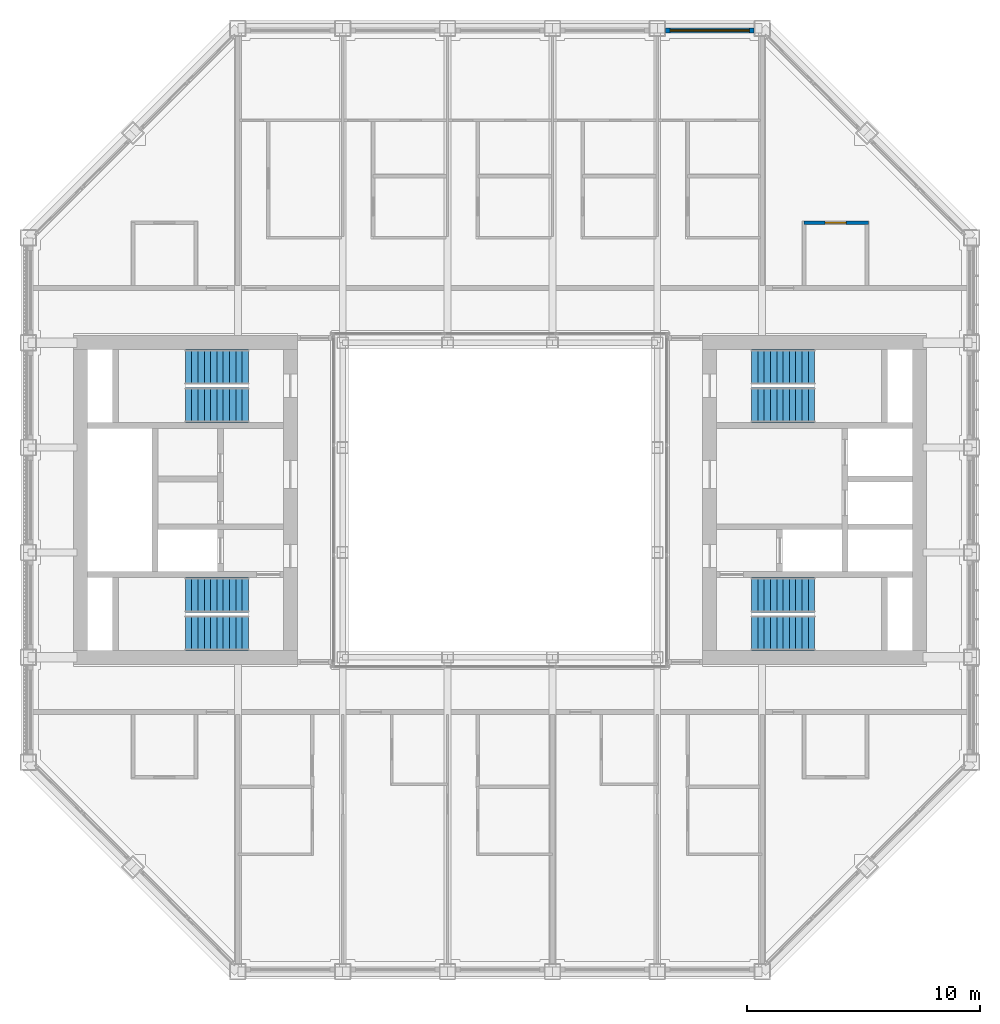
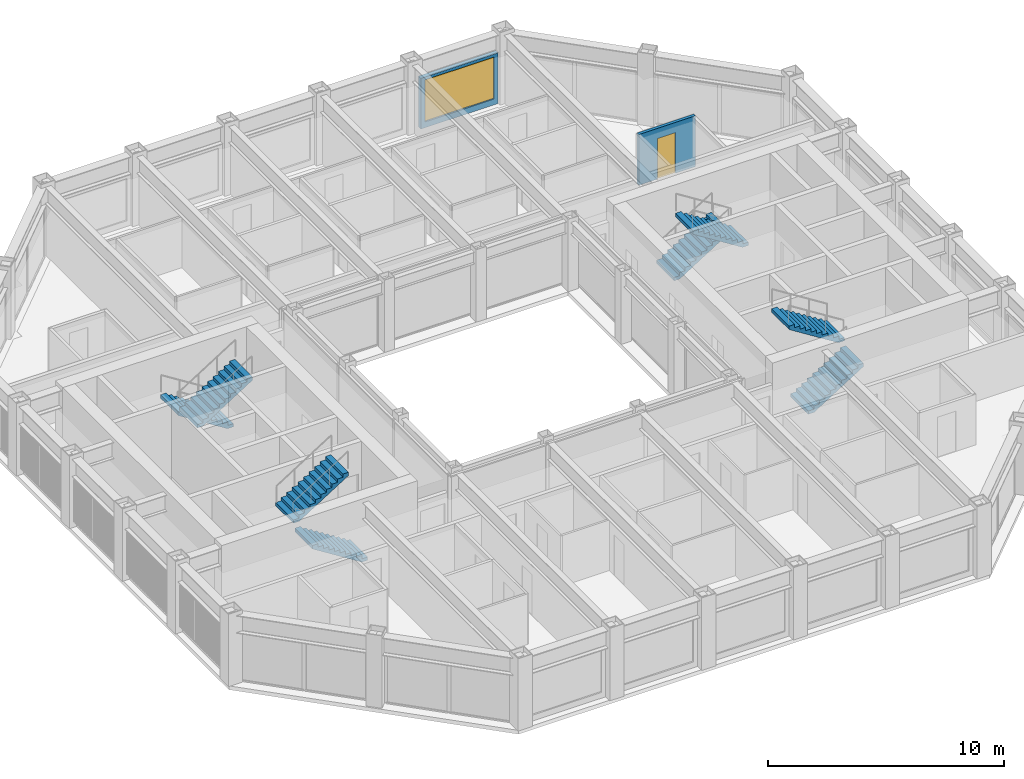
# One storey, part 13 of 18: 8 stair flights, 2 walls, 1 door, 1 window, 2 openings, 4 elements without a shape of their own.
"""IFC4 building model written with IfcOpenShell, lengths in metres."""

from ifc_helpers import new_model, si_unit, direction, frame, frame_2d, origin, place, context, subcontext, project, spatial, polyline, rectangle, outline, extrude, material, layer, layer_set, type_object, element, fill, aggregate, save


model = new_model("IFC4")

# Units and contexts
model_context = context("Model", 3, precision=1e-05, world=origin(), true_north=direction((0.0, 1.0)))
body_context = subcontext(model_context, "Body", "Model", "MODEL_VIEW")
ifc_project = project(units=[si_unit("LENGTHUNIT", "METRE"), si_unit("AREAUNIT", "SQUARE_METRE"), si_unit("VOLUMEUNIT", "CUBIC_METRE"), si_unit("PLANEANGLEUNIT", "RADIAN"), si_unit("MASSUNIT", "GRAM", prefix="KILO")], contexts=[model_context])

# Site, building, storey
site_placement = place(None, origin())
site = spatial("IfcSite", under=ifc_project, at=site_placement, CompositionType="ELEMENT")
building_placement = place(site_placement, origin())
building = spatial("IfcBuilding", under=site, at=building_placement, Name="Msasa Ring Tower", CompositionType="ELEMENT")
storey_placement = place(building_placement, frame((0.0, 0.0, 249.550048828125)))
storey = spatial("IfcBuildingStorey", under=building, at=storey_placement, Name="L65", CompositionType="ELEMENT", Elevation=249.550048828125)

# Wall, opening, window
ifc_material_1 = material(Name="Terracotta rainscreen on blockwork", Category="masonry")
ifc_layer_1 = layer(ifc_material_1, 0.199951171875)
ifc_layer_set_1 = layer_set([ifc_layer_1], Name="FW1 TERRACOTTA-LINED INFILL BAY WALL 200")
wall_type_1 = type_object("IfcWallType", Name="FW1 TERRACOTTA-LINED INFILL BAY WALL 200", PredefinedType="SOLIDWALL", material=ifc_layer_set_1)
wall_1_placement = place(storey_placement, frame((7.10498046875, 20.14990234375, 0.0), z_axis=(0.0, 0.0, 1.0), x_axis=(1.0, 0.0, 0.0)))
wall_1 = element("IfcWall", 1, at=wall_1_placement, inside=storey, type_object=wall_type_1, Name="Infill bay wall N L65 18", PredefinedType="SOLIDWALL", context=body_context, shape_type="SweptSolid", body=[
    extrude(rectangle(XDim=3.7900390625, YDim=0.199951171875, at=frame_2d((1.89501953125, 0.0))), origin(), (0.0, 0.0, 1.0), 2.62890625),
])
opening_1_placement = place(wall_1_placement, frame((0.195068359375, 0.0, 0.300048828125)))
opening_1 = element("IfcOpeningElement", 2, at=opening_1_placement, cuts=wall_1, Name="Opening WN3", PredefinedType="OPENING", context=body_context, shape_type="SweptSolid", body=[
    extrude(rectangle(XDim=3.39990234375, YDim=2.178955078125, at=frame_2d((1.699951171875, 1.08935546875))), frame((0.0, 0.10986328125, 0.0), z_axis=(0.0, -1.0, 0.0), x_axis=(1.0, 0.0, 0.0)), (0.0, 0.0, 1.0), 0.219970703125),
])
ifc_material_2 = material(Name="Aluminium frame with clear glass", Category="aluminium")
window_type = type_object("IfcWindowType", Name="WN3 SUITE WINDOW 3400x2179", PartitioningType="SINGLE_PANEL", PredefinedType="WINDOW", material=ifc_material_2)
window_placement = place(opening_1_placement, origin())
window = element("IfcWindow", 3, at=window_placement, inside=storey, type_object=window_type, Name="Window N L65 18", OverallHeight=2.178955078125, OverallWidth=3.39990234375, PartitioningType="SINGLE_PANEL", PredefinedType="WINDOW", context=body_context, shape_type="SweptSolid", body=[
    extrude(rectangle(XDim=3.39990234375, YDim=2.178955078125, at=frame_2d((1.699951171875, 1.08935546875))), frame((0.0, 0.030029296875, 0.0), z_axis=(0.0, -1.0, 0.0), x_axis=(1.0, 0.0, 0.0)), (0.0, 0.0, 1.0), 0.06005859375),
])
fill(opening_1, window)

# Wall, opening, door
ifc_material_3 = material(Name="Moisture-resistant board on steel studs with a concealed cistern and pipe void, tiled", Category="steel")
ifc_layer_2 = layer(ifc_material_3, 0.14990234375)
ifc_layer_set_2 = layer_set([ifc_layer_2], Name="PT4 BATHROOM WET WALL 150")
wall_type_2 = type_object("IfcWallType", Name="PT4 BATHROOM WET WALL 150", PredefinedType="PARTITIONING", material=ifc_layer_set_2)
wall_2_placement = place(storey_placement, frame((13.050048828125, 11.89990234375, 0.0), z_axis=(0.0, 0.0, 1.0), x_axis=(1.0, 0.0, 0.0)))
wall_2 = element("IfcWall", 4, at=wall_2_placement, inside=storey, type_object=wall_type_2, Name="Partition L65-CSNEBY", PredefinedType="PARTITIONING", context=body_context, shape_type="SweptSolid", body=[
    extrude(rectangle(XDim=2.77490234375, YDim=0.14990234375, at=frame_2d((1.387451171875, 0.0))), origin(), (0.0, 0.0, 1.0), 2.62890625),
])
opening_2_placement = place(wall_2_placement, frame((0.89990234375, 0.0, 0.0)))
opening_2 = element("IfcOpeningElement", 5, at=opening_2_placement, cuts=wall_2, Name="Opening SE-016", PredefinedType="OPENING", context=body_context, shape_type="SweptSolid", body=[
    extrude(rectangle(XDim=0.89990234375, YDim=2.10009765625, at=frame_2d((0.449951171875, 1.050048828125))), frame((0.0, 0.0849609375, 0.0), z_axis=(0.0, -1.0, 0.0), x_axis=(1.0, 0.0, 0.0)), (0.0, 0.0, 1.0), 0.169921875),
])
ifc_material_4 = material(Name="Timber door leaf in a steel frame", Category="steel")
door_type = type_object("IfcDoorType", Name="D3 BATHROOM DOOR 900x2100", OperationType="SINGLE_SWING_LEFT", PredefinedType="DOOR", material=ifc_material_4)
door_placement = place(opening_2_placement, origin())
door = element("IfcDoor", 6, at=door_placement, inside=storey, type_object=door_type, Name="Door L65-CSNEB1", OperationType="SINGLE_SWING_LEFT", OverallHeight=2.10009765625, OverallWidth=0.89990234375, PredefinedType="DOOR", context=body_context, shape_type="SweptSolid", body=[
    extrude(rectangle(XDim=0.89990234375, YDim=2.10009765625, at=frame_2d((0.449951171875, 1.050048828125))), frame((0.0, 0.02490234375, 0.0), z_axis=(0.0, -1.0, 0.0), x_axis=(1.0, 0.0, 0.0)), (0.0, 0.0, 1.0), 0.050048828125),
])
fill(opening_2, door)

# Stair, stair flights
ifc_material_5 = material(Name="Concrete C40/50", Category="concrete")
stair_type = type_object("IfcStairType", Name="STC CORE STAIR 22 RISERS 170.5", PredefinedType="HALF_TURN_STAIR", material=ifc_material_5)
stair_1_placement = place(storey_placement, origin())
stair_1 = element("IfcStair", 7, at=stair_1_placement, inside=storey, type_object=stair_type, Name="Core stair SEA L65", PredefinedType="HALF_TURN_STAIR")
ifc_material_6 = material(Name="Concrete C40/50", Category="concrete")
stair_flight_type = type_object("IfcStairFlightType", Name="ST11 CORE STAIR FLIGHT 1500 11 RISERS 170.5", PredefinedType="STRAIGHT", material=ifc_material_6)
stair_flight_1_placement = place(storey_placement, frame((10.800048828125, -5.699951171875, 0.0), z_axis=(0.0, 0.0, 1.0), x_axis=(1.0, 0.0, 0.0)))
stair_flight_1 = element("IfcStairFlight", 8, at=stair_flight_1_placement, type_object=stair_flight_type, Name="SEA flight 1", NumberOfRisers=11, NumberOfTreads=10, PredefinedType="STRAIGHT", RiserHeight=0.170454545, TreadLength=0.27, context=body_context, shape_type="SweptSolid", body=[
    extrude(outline(polyline([(0.0, 0.0), (0.0, 0.17041015625), (0.27001953125, 0.17041015625), (0.27001953125, 0.3408203125), (0.5400390625, 0.3408203125), (0.5400390625, 0.511474609375), (0.81005859375, 0.511474609375), (0.81005859375, 0.681884765625), (1.080078125, 0.681884765625), (1.080078125, 0.852294921875), (1.35009765625, 0.852294921875), (1.35009765625, 1.022705078125), (1.6201171875, 1.022705078125), (1.6201171875, 1.193115234375), (1.889892578125, 1.193115234375), (1.889892578125, 1.363525390625), (2.159912109375, 1.363525390625), (2.159912109375, 1.5341796875), (2.429931640625, 1.5341796875), (2.429931640625, 1.70458984375), (2.699951171875, 1.70458984375), (2.699951171875, 1.875), (2.699951171875, 1.52734375), (0.28076171875, 0.0), (0.0, 0.0)])), frame((0.0, 0.75, 0.0), z_axis=(0.0, -1.0, 0.0), x_axis=(1.0, 0.0, 0.0)), (0.0, 0.0, 1.0), 1.5),
])
stair_flight_2_placement = place(storey_placement, frame((13.5, -4.074951171875, 1.875), z_axis=(0.0, 0.0, 1.0), x_axis=(-1.0, 0.0, 0.0)))
stair_flight_2 = element("IfcStairFlight", 9, at=stair_flight_2_placement, type_object=stair_flight_type, Name="SEA flight 2", NumberOfRisers=11, NumberOfTreads=10, PredefinedType="STRAIGHT", RiserHeight=0.170454545, TreadLength=0.27, context=body_context, shape_type="SweptSolid", body=[
    extrude(outline(polyline([(0.0, 0.0), (0.0, 0.17041015625), (0.27001953125, 0.17041015625), (0.27001953125, 0.3408203125), (0.5400390625, 0.3408203125), (0.5400390625, 0.511474609375), (0.81005859375, 0.511474609375), (0.81005859375, 0.681884765625), (1.080078125, 0.681884765625), (1.080078125, 0.852294921875), (1.35009765625, 0.852294921875), (1.35009765625, 1.022705078125), (1.6201171875, 1.022705078125), (1.6201171875, 1.193115234375), (1.889892578125, 1.193115234375), (1.889892578125, 1.363525390625), (2.159912109375, 1.363525390625), (2.159912109375, 1.5341796875), (2.429931640625, 1.5341796875), (2.429931640625, 1.70458984375), (2.699951171875, 1.70458984375), (2.699951171875, 1.875), (2.699951171875, 1.52734375), (0.28076171875, 0.0), (0.0, 0.0)])), frame((0.0, 0.75, 0.0), z_axis=(0.0, -1.0, 0.0), x_axis=(1.0, 0.0, 0.0)), (0.0, 0.0, 1.0), 1.5),
])
aggregate(stair_1, [stair_flight_1, stair_flight_2])

stair_2_placement = place(storey_placement, origin())
stair_2 = element("IfcStair", 10, at=stair_2_placement, inside=storey, type_object=stair_type, Name="Core stair SEB L65", PredefinedType="HALF_TURN_STAIR")
stair_flight_3_placement = place(storey_placement, frame((10.800048828125, 5.699951171875, 0.0), z_axis=(0.0, 0.0, 1.0), x_axis=(1.0, 0.0, 0.0)))
stair_flight_3 = element("IfcStairFlight", 11, at=stair_flight_3_placement, type_object=stair_flight_type, Name="SEB flight 1", NumberOfRisers=11, NumberOfTreads=10, PredefinedType="STRAIGHT", RiserHeight=0.170454545, TreadLength=0.27, context=body_context, shape_type="SweptSolid", body=[
    extrude(outline(polyline([(0.0, 0.0), (0.0, 0.17041015625), (0.27001953125, 0.17041015625), (0.27001953125, 0.3408203125), (0.5400390625, 0.3408203125), (0.5400390625, 0.511474609375), (0.81005859375, 0.511474609375), (0.81005859375, 0.681884765625), (1.080078125, 0.681884765625), (1.080078125, 0.852294921875), (1.35009765625, 0.852294921875), (1.35009765625, 1.022705078125), (1.6201171875, 1.022705078125), (1.6201171875, 1.193115234375), (1.889892578125, 1.193115234375), (1.889892578125, 1.363525390625), (2.159912109375, 1.363525390625), (2.159912109375, 1.5341796875), (2.429931640625, 1.5341796875), (2.429931640625, 1.70458984375), (2.699951171875, 1.70458984375), (2.699951171875, 1.875), (2.699951171875, 1.52734375), (0.28076171875, 0.0), (0.0, 0.0)])), frame((0.0, 0.75, 0.0), z_axis=(0.0, -1.0, 0.0), x_axis=(1.0, 0.0, 0.0)), (0.0, 0.0, 1.0), 1.5),
])
stair_flight_4_placement = place(storey_placement, frame((13.5, 4.074951171875, 1.875), z_axis=(0.0, 0.0, 1.0), x_axis=(-1.0, 0.0, 0.0)))
stair_flight_4 = element("IfcStairFlight", 12, at=stair_flight_4_placement, type_object=stair_flight_type, Name="SEB flight 2", NumberOfRisers=11, NumberOfTreads=10, PredefinedType="STRAIGHT", RiserHeight=0.170454545, TreadLength=0.27, context=body_context, shape_type="SweptSolid", body=[
    extrude(outline(polyline([(0.0, 0.0), (0.0, 0.17041015625), (0.27001953125, 0.17041015625), (0.27001953125, 0.3408203125), (0.5400390625, 0.3408203125), (0.5400390625, 0.511474609375), (0.81005859375, 0.511474609375), (0.81005859375, 0.681884765625), (1.080078125, 0.681884765625), (1.080078125, 0.852294921875), (1.35009765625, 0.852294921875), (1.35009765625, 1.022705078125), (1.6201171875, 1.022705078125), (1.6201171875, 1.193115234375), (1.889892578125, 1.193115234375), (1.889892578125, 1.363525390625), (2.159912109375, 1.363525390625), (2.159912109375, 1.5341796875), (2.429931640625, 1.5341796875), (2.429931640625, 1.70458984375), (2.699951171875, 1.70458984375), (2.699951171875, 1.875), (2.699951171875, 1.52734375), (0.28076171875, 0.0), (0.0, 0.0)])), frame((0.0, 0.75, 0.0), z_axis=(0.0, -1.0, 0.0), x_axis=(1.0, 0.0, 0.0)), (0.0, 0.0, 1.0), 1.5),
])
aggregate(stair_2, [stair_flight_3, stair_flight_4])

stair_3_placement = place(storey_placement, origin())
stair_3 = element("IfcStair", 13, at=stair_3_placement, inside=storey, type_object=stair_type, Name="Core stair SWA L65", PredefinedType="HALF_TURN_STAIR")
stair_flight_5_placement = place(storey_placement, frame((-10.800048828125, -5.699951171875, 0.0), z_axis=(0.0, 0.0, 1.0), x_axis=(-1.0, 0.0, 0.0)))
stair_flight_5 = element("IfcStairFlight", 14, at=stair_flight_5_placement, type_object=stair_flight_type, Name="SWA flight 1", NumberOfRisers=11, NumberOfTreads=10, PredefinedType="STRAIGHT", RiserHeight=0.170454545, TreadLength=0.27, context=body_context, shape_type="SweptSolid", body=[
    extrude(outline(polyline([(0.0, 0.0), (0.0, 0.17041015625), (0.27001953125, 0.17041015625), (0.27001953125, 0.3408203125), (0.5400390625, 0.3408203125), (0.5400390625, 0.511474609375), (0.81005859375, 0.511474609375), (0.81005859375, 0.681884765625), (1.080078125, 0.681884765625), (1.080078125, 0.852294921875), (1.35009765625, 0.852294921875), (1.35009765625, 1.022705078125), (1.6201171875, 1.022705078125), (1.6201171875, 1.193115234375), (1.889892578125, 1.193115234375), (1.889892578125, 1.363525390625), (2.159912109375, 1.363525390625), (2.159912109375, 1.5341796875), (2.429931640625, 1.5341796875), (2.429931640625, 1.70458984375), (2.699951171875, 1.70458984375), (2.699951171875, 1.875), (2.699951171875, 1.52734375), (0.28076171875, 0.0), (0.0, 0.0)])), frame((0.0, 0.75, 0.0), z_axis=(0.0, -1.0, 0.0), x_axis=(1.0, 0.0, 0.0)), (0.0, 0.0, 1.0), 1.5),
])
stair_flight_6_placement = place(storey_placement, frame((-13.5, -4.074951171875, 1.875), z_axis=(0.0, 0.0, 1.0), x_axis=(1.0, 0.0, 0.0)))
stair_flight_6 = element("IfcStairFlight", 15, at=stair_flight_6_placement, type_object=stair_flight_type, Name="SWA flight 2", NumberOfRisers=11, NumberOfTreads=10, PredefinedType="STRAIGHT", RiserHeight=0.170454545, TreadLength=0.27, context=body_context, shape_type="SweptSolid", body=[
    extrude(outline(polyline([(0.0, 0.0), (0.0, 0.17041015625), (0.27001953125, 0.17041015625), (0.27001953125, 0.3408203125), (0.5400390625, 0.3408203125), (0.5400390625, 0.511474609375), (0.81005859375, 0.511474609375), (0.81005859375, 0.681884765625), (1.080078125, 0.681884765625), (1.080078125, 0.852294921875), (1.35009765625, 0.852294921875), (1.35009765625, 1.022705078125), (1.6201171875, 1.022705078125), (1.6201171875, 1.193115234375), (1.889892578125, 1.193115234375), (1.889892578125, 1.363525390625), (2.159912109375, 1.363525390625), (2.159912109375, 1.5341796875), (2.429931640625, 1.5341796875), (2.429931640625, 1.70458984375), (2.699951171875, 1.70458984375), (2.699951171875, 1.875), (2.699951171875, 1.52734375), (0.28076171875, 0.0), (0.0, 0.0)])), frame((0.0, 0.75, 0.0), z_axis=(0.0, -1.0, 0.0), x_axis=(1.0, 0.0, 0.0)), (0.0, 0.0, 1.0), 1.5),
])
aggregate(stair_3, [stair_flight_5, stair_flight_6])

stair_4_placement = place(storey_placement, origin())
stair_4 = element("IfcStair", 16, at=stair_4_placement, inside=storey, type_object=stair_type, Name="Core stair SWB L65", PredefinedType="HALF_TURN_STAIR")
stair_flight_7_placement = place(storey_placement, frame((-10.800048828125, 5.699951171875, 0.0), z_axis=(0.0, 0.0, 1.0), x_axis=(-1.0, 0.0, 0.0)))
stair_flight_7 = element("IfcStairFlight", 17, at=stair_flight_7_placement, type_object=stair_flight_type, Name="SWB flight 1", NumberOfRisers=11, NumberOfTreads=10, PredefinedType="STRAIGHT", RiserHeight=0.170454545, TreadLength=0.27, context=body_context, shape_type="SweptSolid", body=[
    extrude(outline(polyline([(0.0, 0.0), (0.0, 0.17041015625), (0.27001953125, 0.17041015625), (0.27001953125, 0.3408203125), (0.5400390625, 0.3408203125), (0.5400390625, 0.511474609375), (0.81005859375, 0.511474609375), (0.81005859375, 0.681884765625), (1.080078125, 0.681884765625), (1.080078125, 0.852294921875), (1.35009765625, 0.852294921875), (1.35009765625, 1.022705078125), (1.6201171875, 1.022705078125), (1.6201171875, 1.193115234375), (1.889892578125, 1.193115234375), (1.889892578125, 1.363525390625), (2.159912109375, 1.363525390625), (2.159912109375, 1.5341796875), (2.429931640625, 1.5341796875), (2.429931640625, 1.70458984375), (2.699951171875, 1.70458984375), (2.699951171875, 1.875), (2.699951171875, 1.52734375), (0.28076171875, 0.0), (0.0, 0.0)])), frame((0.0, 0.75, 0.0), z_axis=(0.0, -1.0, 0.0), x_axis=(1.0, 0.0, 0.0)), (0.0, 0.0, 1.0), 1.5),
])
stair_flight_8_placement = place(storey_placement, frame((-13.5, 4.074951171875, 1.875), z_axis=(0.0, 0.0, 1.0), x_axis=(1.0, 0.0, 0.0)))
stair_flight_8 = element("IfcStairFlight", 18, at=stair_flight_8_placement, type_object=stair_flight_type, Name="SWB flight 2", NumberOfRisers=11, NumberOfTreads=10, PredefinedType="STRAIGHT", RiserHeight=0.170454545, TreadLength=0.27, context=body_context, shape_type="SweptSolid", body=[
    extrude(outline(polyline([(0.0, 0.0), (0.0, 0.17041015625), (0.27001953125, 0.17041015625), (0.27001953125, 0.3408203125), (0.5400390625, 0.3408203125), (0.5400390625, 0.511474609375), (0.81005859375, 0.511474609375), (0.81005859375, 0.681884765625), (1.080078125, 0.681884765625), (1.080078125, 0.852294921875), (1.35009765625, 0.852294921875), (1.35009765625, 1.022705078125), (1.6201171875, 1.022705078125), (1.6201171875, 1.193115234375), (1.889892578125, 1.193115234375), (1.889892578125, 1.363525390625), (2.159912109375, 1.363525390625), (2.159912109375, 1.5341796875), (2.429931640625, 1.5341796875), (2.429931640625, 1.70458984375), (2.699951171875, 1.70458984375), (2.699951171875, 1.875), (2.699951171875, 1.52734375), (0.28076171875, 0.0), (0.0, 0.0)])), frame((0.0, 0.75, 0.0), z_axis=(0.0, -1.0, 0.0), x_axis=(1.0, 0.0, 0.0)), (0.0, 0.0, 1.0), 1.5),
])
aggregate(stair_4, [stair_flight_7, stair_flight_8])

save(model, "model.ifc")
